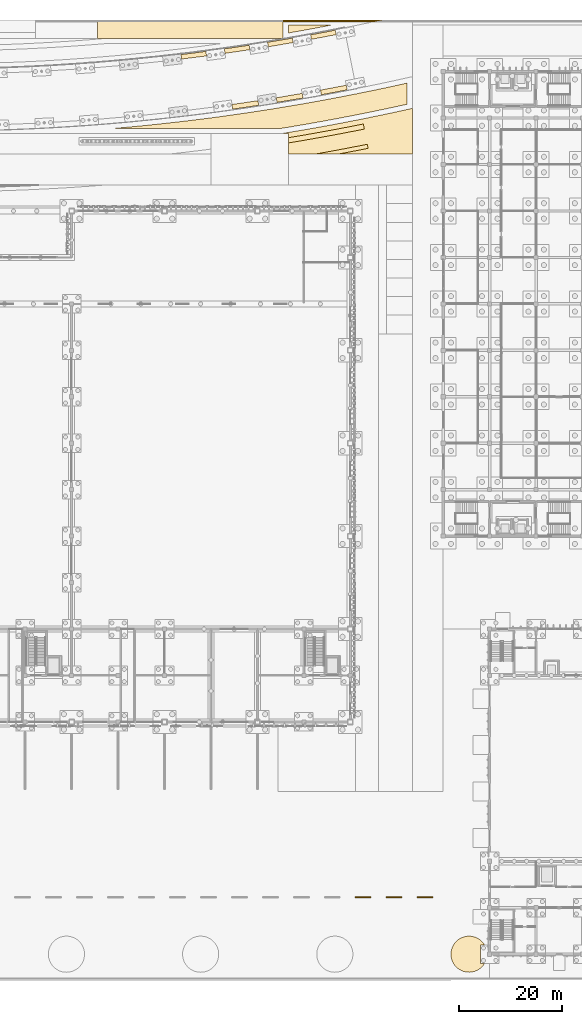
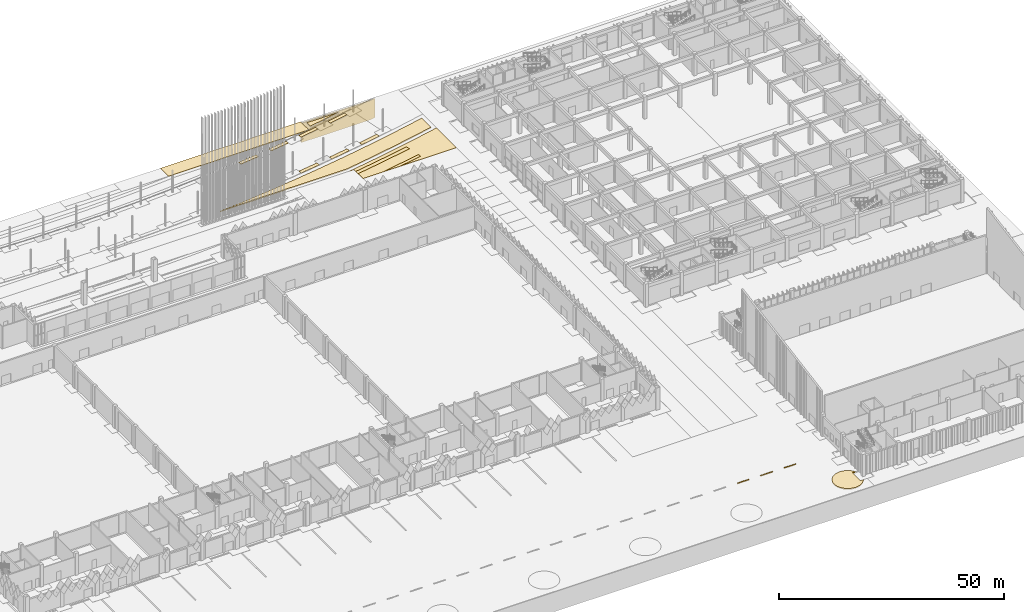
# One storey, part 176 of 198: 18 coverings.
"""IFC4 building model written with IfcOpenShell, lengths in metres."""

from ifc_helpers import new_model, si_unit, direction, frame, origin, place, context, subcontext, project, spatial, polyline, outline, extrude, material, layer, layer_set, type_object, element, save


model = new_model("IFC4")

# Units and contexts
model_context = context("Model", 3, precision=1e-05, world=origin(), true_north=direction((0.0, 1.0)))
body_context = subcontext(model_context, "Body", "Model", "MODEL_VIEW")
ifc_project = project(units=[si_unit("LENGTHUNIT", "METRE"), si_unit("AREAUNIT", "SQUARE_METRE"), si_unit("VOLUMEUNIT", "CUBIC_METRE"), si_unit("PLANEANGLEUNIT", "RADIAN"), si_unit("MASSUNIT", "GRAM", prefix="KILO")], contexts=[model_context])

# Site, building, storey
site_placement = place(None, origin())
site = spatial("IfcSite", under=ifc_project, at=site_placement, CompositionType="ELEMENT")
building_placement = place(site_placement, origin())
building = spatial("IfcBuilding", under=site, at=building_placement, Name="Opaline Strait Convention Centre", CompositionType="ELEMENT")
storey_placement = place(building_placement, origin())
storey = spatial("IfcBuildingStorey", under=building, at=storey_placement, Name="L00", CompositionType="ELEMENT", Elevation=0.0)

# Coverings
ifc_material_1 = material(Name="Asphalt road surfacing")
ifc_layer_1 = layer(ifc_material_1, 0.14990234375)
ifc_layer_set_1 = layer_set([ifc_layer_1], Name="Asphalt road surfacing")
covering_type_1 = type_object("IfcCoveringType", Name="Asphalt road surfacing 150", PredefinedType="FLOORING", material=ifc_layer_set_1)
covering_1_placement = place(storey_placement, frame((0.0, 0.0, -0.14990234375)))
element("IfcCovering", 1, at=covering_1_placement, inside=storey, type_object=covering_type_1, Name="Taxi Rank surfacing", PredefinedType="FLOORING", context=body_context, shape_type="SweptSolid", body=[
    extrude(outline(polyline([(212.0, 190.0), (212.0, 186.39990234375), (248.0, 186.39990234375), (248.0, 190.0), (212.0, 190.0)])), origin(), (0.0, 0.0, 1.0), 0.14990234375),
])
ifc_material_2 = material(Name="Granite paving slabs on mortar bed", Category="masonry")
ifc_layer_2 = layer(ifc_material_2, 0.14990234375)
ifc_layer_set_2 = layer_set([ifc_layer_2], Name="Granite paving slabs on mortar bed")
covering_type_2 = type_object("IfcCoveringType", Name="Granite paving 150", PredefinedType="FLOORING", material=ifc_layer_set_2)
covering_2_placement = place(storey_placement, frame((0.0, 0.0, -0.14990234375)))
element("IfcCovering", 2, at=covering_2_placement, inside=storey, type_object=covering_type_2, Name="Forecourt surfacing", PredefinedType="FLOORING", context=body_context, shape_type="SweptSolid", body=[
    extrude(outline(polyline([(243.243408203125, 173.46826171875), (243.1005859375, 174.370849609375), (238.080078125, 173.62890625), (238.204345703125, 172.723876953125), (239.557373046875, 172.91650390625), (239.5859375, 172.920654296875), (241.61083984375, 173.219482421875), (241.639404296875, 173.2236328125), (243.243408203125, 173.46826171875)])), origin(), (0.0, 0.0, 1.0), 0.14990234375),
])
covering_3_placement = place(storey_placement, frame((0.0, 0.0, -0.14990234375)))
element("IfcCovering", 3, at=covering_3_placement, inside=storey, type_object=covering_type_2, Name="Forecourt surfacing", PredefinedType="FLOORING", context=body_context, shape_type="SweptSolid", body=[
    extrude(outline(polyline([(251.830810546875, 174.87939453125), (251.66943359375, 175.779296875), (246.666259765625, 174.93505859375), (246.808837890625, 174.033203125), (247.771240234375, 174.189453125), (247.7998046875, 174.194091796875), (249.82470703125, 174.533203125), (249.852783203125, 174.5380859375), (251.830810546875, 174.87939453125)])), origin(), (0.0, 0.0, 1.0), 0.14990234375),
])
covering_4_placement = place(storey_placement, frame((0.0, 0.0, -0.14990234375)))
element("IfcCovering", 4, at=covering_4_placement, inside=storey, type_object=covering_type_2, Name="Forecourt surfacing", PredefinedType="FLOORING", context=body_context, shape_type="SweptSolid", body=[
    extrude(outline(polyline([(260.386474609375, 176.46484375), (260.20703125, 177.36083984375), (255.222900390625, 176.416015625), (255.384033203125, 175.516845703125), (255.984375, 175.62646484375), (256.01220703125, 175.631591796875), (258.037353515625, 176.01123046875), (258.065185546875, 176.0166015625), (260.09033203125, 176.406494140625), (260.1181640625, 176.411865234375), (260.386474609375, 176.46484375)])), origin(), (0.0, 0.0, 1.0), 0.14990234375),
])
covering_5_placement = place(storey_placement, frame((0.0, 0.0, -0.14990234375)))
element("IfcCovering", 5, at=covering_5_placement, inside=storey, type_object=covering_type_2, Name="Forecourt surfacing", PredefinedType="FLOORING", context=body_context, shape_type="SweptSolid", body=[
    extrude(outline(polyline([(228.21044921875, 183.3125), (228.312744140625, 182.432373046875), (233.143310546875, 183.044921875), (233.022705078125, 183.923095703125), (233.065673828125, 183.928955078125), (231.889404296875, 183.77294921875), (229.893310546875, 183.5185546875), (228.21044921875, 183.3125)])), origin(), (0.0, 0.0, 1.0), 0.14990234375),
])
covering_6_placement = place(storey_placement, frame((0.0, 0.0, -0.14990234375)))
element("IfcCovering", 6, at=covering_6_placement, inside=storey, type_object=covering_type_2, Name="Forecourt surfacing", PredefinedType="FLOORING", context=body_context, shape_type="SweptSolid", body=[
    extrude(outline(polyline([(236.59912109375, 184.4140625), (236.719482421875, 183.535888671875), (241.537109375, 184.247802734375), (241.3984375, 185.123291015625), (239.874755859375, 184.89111328125), (237.87841796875, 184.596435546875), (236.56591796875, 184.409423828125), (236.59912109375, 184.4140625)])), origin(), (0.0, 0.0, 1.0), 0.14990234375),
])
covering_7_placement = place(storey_placement, frame((0.0, 0.0, -0.14990234375)))
element("IfcCovering", 7, at=covering_7_placement, inside=storey, type_object=covering_type_2, Name="Forecourt surfacing", PredefinedType="FLOORING", context=body_context, shape_type="SweptSolid", body=[
    extrude(outline(polyline([(244.964111328125, 185.687744140625), (245.102783203125, 184.81201171875), (249.90576171875, 185.62255859375), (249.74951171875, 186.494384765625), (247.861083984375, 186.168701171875), (245.864501953125, 185.83447265625), (244.906005859375, 185.6787109375), (244.964111328125, 185.687744140625)])), origin(), (0.0, 0.0, 1.0), 0.14990234375),
])
covering_8_placement = place(storey_placement, frame((0.0, 0.0, -0.14990234375)))
element("IfcCovering", 8, at=covering_8_placement, inside=storey, type_object=covering_type_2, Name="Forecourt surfacing", PredefinedType="FLOORING", context=body_context, shape_type="SweptSolid", body=[
    extrude(outline(polyline([(253.302734375, 187.1318359375), (253.458984375, 186.259033203125), (258.245849609375, 187.166748046875), (258.072021484375, 188.03564453125), (257.845703125, 187.990966796875), (255.8486328125, 187.606689453125), (253.851806640625, 187.232177734375), (253.302734375, 187.1318359375)])), origin(), (0.0, 0.0, 1.0), 0.14990234375),
])
covering_9_placement = place(storey_placement, frame((0.0, 0.0, -0.14990234375)))
element("IfcCovering", 9, at=covering_9_placement, inside=storey, type_object=covering_type_2, Name="Forecourt Terrace 2 surfacing", PredefinedType="FLOORING", context=body_context, shape_type="SweptSolid", body=[
    extrude(outline(polyline([(249.1376953125, 166.205322265625), (249.070556640625, 166.1943359375), (249.0, 166.182861328125), (249.0, 164.0), (254.053466796875, 164.0), (255.87109375, 164.322509765625), (255.9521484375, 164.337158203125), (257.97705078125, 164.706787109375), (258.057861328125, 164.7216796875), (260.0830078125, 165.101318359375), (260.16357421875, 165.11669921875), (262.1884765625, 165.506591796875), (262.268798828125, 165.522216796875), (264.2939453125, 165.922119140625), (264.448974609375, 165.13720703125), (262.423828125, 164.7373046875), (262.339599609375, 164.720947265625), (260.314697265625, 164.331298828125), (260.230224609375, 164.315185546875), (258.5498046875, 164.0), (273.0, 164.0), (273.0, 172.875244140625), (271.603271484375, 172.564697265625), (271.548095703125, 172.552490234375), (269.548095703125, 172.1181640625), (269.49267578125, 172.106201171875), (267.49267578125, 171.681396484375), (267.43701171875, 171.669921875), (265.43701171875, 171.2548828125), (265.38134765625, 171.24365234375), (263.38134765625, 170.838623046875), (263.325439453125, 170.827392578125), (263.3251953125, 170.827392578125), (261.325439453125, 170.432373046875), (261.269287109375, 170.42138671875), (259.269287109375, 170.036376953125), (259.213134765625, 170.025634765625), (257.213134765625, 169.650390625), (257.156982421875, 169.639892578125), (255.156982421875, 169.2744140625), (255.100341796875, 169.264404296875), (253.100341796875, 168.90869140625), (253.043701171875, 168.898681640625), (251.043701171875, 168.552978515625), (250.987060546875, 168.54345703125), (248.987060546875, 168.20751953125), (248.93017578125, 168.1982421875), (247.7138671875, 168.0), (249.0, 168.0), (249.0, 167.1962890625), (250.99755859375, 167.531005859375), (251.059814453125, 167.54150390625), (253.0849609375, 167.890869140625), (253.14697265625, 167.901611328125), (255.172119140625, 168.260986328125), (255.23388671875, 168.272216796875), (257.259033203125, 168.641845703125), (257.32080078125, 168.6533203125), (259.345703125, 169.032958984375), (259.407470703125, 169.044677734375), (261.432373046875, 169.434326171875), (261.493896484375, 169.4462890625), (263.518798828125, 169.846435546875), (263.712646484375, 168.865234375), (261.6875, 168.46533203125), (261.621337890625, 168.452392578125), (259.596435546875, 168.062744140625), (259.530029296875, 168.050048828125), (257.5048828125, 167.67041015625), (257.4384765625, 167.657958984375), (255.41357421875, 167.28857421875), (255.3466796875, 167.276611328125), (253.32177734375, 166.9169921875), (253.2548828125, 166.9052734375), (251.22998046875, 166.555908203125), (251.162841796875, 166.544677734375), (249.1376953125, 166.205322265625)])), origin(), (0.0, 0.0, 1.0), 0.14990234375),
])
ifc_material_3 = material(Name="Limestone paving slabs on mortar bed", Category="masonry")
ifc_layer_3 = layer(ifc_material_3, 0.14990234375)
ifc_layer_set_3 = layer_set([ifc_layer_3], Name="Limestone paving slabs on mortar bed")
covering_type_3 = type_object("IfcCoveringType", Name="Limestone court paving 150", PredefinedType="FLOORING", material=ifc_layer_set_3)
covering_10_placement = place(storey_placement, frame((0.0, 0.0, -0.14990234375)))
element("IfcCovering", 10, at=covering_10_placement, inside=storey, type_object=covering_type_3, Name="Forecourt paving band 1 surfacing", PredefinedType="FLOORING", context=body_context, shape_type="SweptSolid", body=[
    extrude(outline(polyline([(259.530029296875, 168.050048828125), (259.596435546875, 168.062744140625), (261.621337890625, 168.452392578125), (261.6875, 168.46533203125), (263.712646484375, 168.865234375), (263.518798828125, 169.846435546875), (261.493896484375, 169.4462890625), (261.432373046875, 169.434326171875), (259.407470703125, 169.044677734375), (259.345703125, 169.032958984375), (257.32080078125, 168.6533203125), (257.259033203125, 168.641845703125), (255.23388671875, 168.272216796875), (255.172119140625, 168.260986328125), (253.14697265625, 167.901611328125), (253.0849609375, 167.890869140625), (251.059814453125, 167.54150390625), (250.99755859375, 167.531005859375), (249.0, 167.1962890625), (249.0, 166.182861328125), (249.070556640625, 166.1943359375), (249.1376953125, 166.205322265625), (251.162841796875, 166.544677734375), (251.22998046875, 166.555908203125), (253.2548828125, 166.9052734375), (253.32177734375, 166.9169921875), (255.3466796875, 167.276611328125), (255.41357421875, 167.28857421875), (257.4384765625, 167.657958984375), (257.5048828125, 167.67041015625), (259.530029296875, 168.050048828125)])), origin(), (0.0, 0.0, 1.0), 0.14990234375),
])
ifc_material_4 = material(Name="Permeable concrete block paving C30", Category="concrete")
ifc_layer_4 = layer(ifc_material_4, 0.14990234375)
ifc_layer_set_4 = layer_set([ifc_layer_4], Name="Permeable concrete block paving C30")
covering_type_4 = type_object("IfcCoveringType", Name="Permeable block paving 150", PredefinedType="FLOORING", material=ifc_layer_set_4)
covering_11_placement = place(storey_placement, frame((0.0, 0.0, -0.14990234375)))
element("IfcCovering", 11, at=covering_11_placement, inside=storey, type_object=covering_type_4, Name="Forecourt paving band 2 surfacing", PredefinedType="FLOORING", context=body_context, shape_type="SweptSolid", body=[
    extrude(outline(polyline([(260.230224609375, 164.315185546875), (260.314697265625, 164.331298828125), (262.339599609375, 164.720947265625), (262.423828125, 164.7373046875), (264.448974609375, 165.13720703125), (264.2939453125, 165.922119140625), (262.268798828125, 165.522216796875), (262.1884765625, 165.506591796875), (260.16357421875, 165.11669921875), (260.0830078125, 165.101318359375), (258.057861328125, 164.7216796875), (257.97705078125, 164.706787109375), (255.9521484375, 164.337158203125), (255.87109375, 164.322509765625), (254.053466796875, 164.0), (258.5498046875, 164.0), (260.230224609375, 164.315185546875)])), origin(), (0.0, 0.0, 1.0), 0.14990234375),
])
ifc_material_5 = material(Name="Planting soil and shrub planting")
ifc_layer_5 = layer(ifc_material_5, 0.300048828125)
ifc_layer_set_5 = layer_set([ifc_layer_5], Name="Planting soil and shrub planting")
covering_type_5 = type_object("IfcCoveringType", Name="Planted border bed 300", PredefinedType="USERDEFINED", material=ifc_layer_set_5)
covering_12_placement = place(storey_placement, frame((0.0, 0.0, -0.300048828125)))
element("IfcCovering", 12, at=covering_12_placement, inside=storey, type_object=covering_type_5, Name="Strait Garden North bed surfacing", ObjectType="LANDSCAPE", PredefinedType="USERDEFINED", context=body_context, shape_type="SweptSolid", body=[
    extrude(outline(polyline([(255.692626953125, 188.696533203125), (257.26806640625, 189.0), (249.0, 189.0), (249.0, 187.481689453125), (249.791259765625, 187.618408203125), (251.75830078125, 187.968017578125), (253.725341796875, 188.327392578125), (255.692626953125, 188.696533203125)])), origin(), (0.0, 0.0, 1.0), 0.300048828125),
])
covering_13_placement = place(storey_placement, frame((0.0, 0.0, -0.300048828125)))
element("IfcCovering", 13, at=covering_13_placement, inside=storey, type_object=covering_type_5, Name="Strait Garden East bed surfacing", ObjectType="LANDSCAPE", PredefinedType="USERDEFINED", context=body_context, shape_type="SweptSolid", body=[
    extrude(outline(polyline([(215.6171875, 169.03955078125), (215.587890625, 169.037109375), (215.585693359375, 169.036865234375), (215.146240234375, 169.0), (247.6328125, 169.0), (248.76806640625, 169.18505859375), (248.822509765625, 169.194091796875), (250.8203125, 169.529296875), (250.87451171875, 169.538818359375), (252.872314453125, 169.884033203125), (252.926513671875, 169.8935546875), (254.92431640625, 170.24853515625), (254.978271484375, 170.25830078125), (256.97607421875, 170.623291015625), (257.030029296875, 170.63330078125), (259.027587890625, 171.00830078125), (259.08154296875, 171.0185546875), (261.0791015625, 171.4033203125), (261.1328125, 171.413818359375), (263.130615234375, 171.808349609375), (263.18408203125, 171.819091796875), (265.181640625, 172.223388671875), (265.235107421875, 172.234375), (267.23291015625, 172.648681640625), (267.285888671875, 172.659912109375), (269.28369140625, 173.083984375), (269.3369140625, 173.095458984375), (271.33447265625, 173.529541015625), (271.387451171875, 173.541259765625), (272.0, 173.67724609375), (272.0, 177.77490234375), (270.5185546875, 177.44580078125), (270.51611328125, 177.4453125), (270.488525390625, 177.439208984375), (270.486328125, 177.438720703125), (268.486328125, 177.004150390625), (268.48388671875, 177.003662109375), (268.456298828125, 176.99755859375), (268.4541015625, 176.9970703125), (266.4541015625, 176.572509765625), (266.45166015625, 176.572021484375), (266.423828125, 176.566162109375), (266.421630859375, 176.565673828125), (264.421630859375, 176.15087890625), (264.419189453125, 176.150390625), (264.391357421875, 176.14453125), (264.38916015625, 176.144287109375), (262.38916015625, 175.7392578125), (262.38671875, 175.73876953125), (262.35888671875, 175.733154296875), (262.3564453125, 175.732666015625), (260.3564453125, 175.337646484375), (260.354248046875, 175.337158203125), (260.326171875, 175.331787109375), (260.32373046875, 175.331298828125), (258.32373046875, 174.946044921875), (258.321533203125, 174.945556640625), (258.29345703125, 174.940185546875), (258.291015625, 174.939697265625), (256.291015625, 174.564453125), (256.288818359375, 174.564208984375), (256.260498046875, 174.558837890625), (256.25830078125, 174.558349609375), (254.25830078125, 174.193115234375), (254.255859375, 174.192626953125), (254.2275390625, 174.1875), (254.22509765625, 174.18701171875), (252.22509765625, 173.83154296875), (252.222900390625, 173.8310546875), (252.194580078125, 173.826171875), (252.192138671875, 173.82568359375), (250.192138671875, 173.47998046875), (250.189697265625, 173.4794921875), (250.16162109375, 173.474853515625), (250.1591796875, 173.474365234375), (248.1591796875, 173.138671875), (248.15673828125, 173.13818359375), (248.12841796875, 173.133544921875), (248.1259765625, 173.133056640625), (246.1259765625, 172.80712890625), (246.12353515625, 172.806884765625), (246.094970703125, 172.80224609375), (246.092529296875, 172.8017578125), (244.092529296875, 172.48583984375), (244.090087890625, 172.4853515625), (244.0615234375, 172.48095703125), (244.059326171875, 172.480712890625), (242.059326171875, 172.17431640625), (242.056884765625, 172.174072265625), (242.0283203125, 172.169921875), (242.02587890625, 172.16943359375), (240.02587890625, 171.873046875), (240.0234375, 171.872802734375), (239.99462890625, 171.86865234375), (239.9921875, 171.8681640625), (237.9921875, 171.581787109375), (237.989990234375, 171.58154296875), (237.961181640625, 171.577392578125), (237.958740234375, 171.5771484375), (235.958740234375, 171.300537109375), (235.956298828125, 171.30029296875), (235.927490234375, 171.29638671875), (235.925048828125, 171.2958984375), (233.925048828125, 171.029296875), (233.922607421875, 171.029052734375), (233.893798828125, 171.025146484375), (233.891357421875, 171.02490234375), (231.891357421875, 170.76806640625), (231.888916015625, 170.767822265625), (231.860107421875, 170.76416015625), (231.857666015625, 170.763916015625), (229.857666015625, 170.516845703125), (229.855224609375, 170.5166015625), (229.826416015625, 170.51318359375), (229.823974609375, 170.5126953125), (227.823974609375, 170.27587890625), (227.8212890625, 170.275390625), (227.79248046875, 170.272216796875), (227.7900390625, 170.27197265625), (225.7900390625, 170.044677734375), (225.78759765625, 170.04443359375), (225.758544921875, 170.041259765625), (225.756103515625, 170.041015625), (223.756103515625, 169.82373046875), (223.753662109375, 169.823486328125), (223.724609375, 169.8203125), (223.72216796875, 169.820068359375), (221.72216796875, 169.612548828125), (221.719482421875, 169.6123046875), (221.6904296875, 169.609375), (221.68798828125, 169.609130859375), (219.68798828125, 169.41162109375), (219.685546875, 169.411376953125), (219.656494140625, 169.40869140625), (219.65380859375, 169.408447265625), (217.65380859375, 169.220703125), (217.651611328125, 169.220458984375), (217.622314453125, 169.2177734375), (217.619873046875, 169.217529296875), (215.619873046875, 169.039794921875), (215.6171875, 169.03955078125)])), origin(), (0.0, 0.0, 1.0), 0.300048828125),
])
covering_14_placement = place(storey_placement, frame((0.0, 0.0, -0.300048828125)))
element("IfcCovering", 14, at=covering_14_placement, inside=storey, type_object=covering_type_5, Name="Yard planting island 8 surfacing", ObjectType="LANDSCAPE", PredefinedType="USERDEFINED", context=body_context, shape_type="SweptSolid", body=[
    extrude(outline(polyline([(286.776611328125, 6.869384765625), (286.91015625, 7.055419921875), (286.996826171875, 7.195068359375), (286.195068359375, 7.195068359375), (286.195068359375, 10.804931640625), (286.996826171875, 10.804931640625), (286.91015625, 10.944580078125), (286.776611328125, 11.130615234375), (286.63134765625, 11.3076171875), (286.474853515625, 11.474853515625), (286.3076171875, 11.63134765625), (286.130615234375, 11.776611328125), (285.944580078125, 11.91015625), (285.75, 12.031005859375), (285.548095703125, 12.13916015625), (285.33935546875, 12.233642578125), (285.125, 12.314208984375), (284.906005859375, 12.380615234375), (284.682861328125, 12.4326171875), (284.456787109375, 12.47021484375), (284.22900390625, 12.492431640625), (284.0, 12.5), (283.77099609375, 12.492431640625), (283.543212890625, 12.47021484375), (283.317138671875, 12.4326171875), (283.093994140625, 12.380615234375), (282.875, 12.314208984375), (282.66064453125, 12.233642578125), (282.451904296875, 12.13916015625), (282.25, 12.031005859375), (282.055419921875, 11.91015625), (281.869384765625, 11.776611328125), (281.6923828125, 11.63134765625), (281.525146484375, 11.474853515625), (281.36865234375, 11.3076171875), (281.223388671875, 11.130615234375), (281.08984375, 10.944580078125), (280.968994140625, 10.75), (280.86083984375, 10.548095703125), (280.766357421875, 10.33935546875), (280.685791015625, 10.125), (280.619384765625, 9.906005859375), (280.5673828125, 9.682861328125), (280.52978515625, 9.456787109375), (280.507568359375, 9.22900390625), (280.5, 9.0), (280.507568359375, 8.77099609375), (280.52978515625, 8.543212890625), (280.5673828125, 8.317138671875), (280.619384765625, 8.093994140625), (280.685791015625, 7.875), (280.766357421875, 7.66064453125), (280.86083984375, 7.451904296875), (280.968994140625, 7.25), (281.08984375, 7.055419921875), (281.223388671875, 6.869384765625), (281.36865234375, 6.6923828125), (281.525146484375, 6.525146484375), (281.6923828125, 6.36865234375), (281.869384765625, 6.223388671875), (282.055419921875, 6.08984375), (282.25, 5.968994140625), (282.451904296875, 5.86083984375), (282.66064453125, 5.766357421875), (282.875, 5.685791015625), (283.093994140625, 5.619384765625), (283.317138671875, 5.5673828125), (283.543212890625, 5.52978515625), (283.77099609375, 5.507568359375), (284.0, 5.5), (284.22900390625, 5.507568359375), (284.456787109375, 5.52978515625), (284.682861328125, 5.5673828125), (284.906005859375, 5.619384765625), (285.125, 5.685791015625), (285.33935546875, 5.766357421875), (285.548095703125, 5.86083984375), (285.75, 5.968994140625), (285.944580078125, 6.08984375), (286.130615234375, 6.223388671875), (286.3076171875, 6.36865234375), (286.474853515625, 6.525146484375), (286.63134765625, 6.6923828125), (286.776611328125, 6.869384765625)])), origin(), (0.0, 0.0, 1.0), 0.300048828125),
])
ifc_material_6 = material(Name="Stabilised soil platform edge 300")
ifc_layer_6 = layer(ifc_material_6, 0.300048828125)
ifc_layer_set_6 = layer_set([ifc_layer_6], Name="Stabilised soil platform edge 300")
covering_type_6 = type_object("IfcCoveringType", Name="Platform edge facing 300", PredefinedType="CLADDING", material=ifc_layer_set_6)
covering_15_placement = place(storey_placement, frame((0.0, 0.0, -5.5)))
element("IfcCovering", 15, at=covering_15_placement, inside=storey, type_object=covering_type_6, Name="Platform edge facing", PredefinedType="CLADDING", context=body_context, shape_type="SweptSolid", body=[
    extrude(outline(polyline([(267.071533203125, 190.0), (248.0, 190.0), (248.0, 189.699951171875), (265.68994140625, 189.699951171875), (265.739990234375, 189.710693359375), (267.071533203125, 190.0)])), origin(), (0.0, 0.0, 1.0), 5.199951171875),
])
ifc_material_7 = material(Name="Road marking paint on concrete", Category="concrete")
ifc_layer_7 = layer(ifc_material_7, 0.14990234375)
ifc_layer_set_7 = layer_set([ifc_layer_7], Name="Road marking paint on concrete")
covering_type_7 = type_object("IfcCoveringType", Name="Yard marking strip 150", PredefinedType="FLOORING", material=ifc_layer_set_7)
covering_16_placement = place(storey_placement, frame((0.0, 0.0, -0.14990234375)))
element("IfcCovering", 16, at=covering_16_placement, inside=storey, type_object=covering_type_7, Name="Yard centre line dash 28 surfacing", PredefinedType="FLOORING", context=body_context, shape_type="SweptSolid", body=[
    extrude(outline(polyline([(265.0, 20.10009765625), (262.0, 20.10009765625), (262.0, 19.89990234375), (265.0, 19.89990234375), (265.0, 20.10009765625)])), origin(), (0.0, 0.0, 1.0), 0.14990234375),
])
covering_17_placement = place(storey_placement, frame((0.0, 0.0, -0.14990234375)))
element("IfcCovering", 17, at=covering_17_placement, inside=storey, type_object=covering_type_7, Name="Yard centre line dash 29 surfacing", PredefinedType="FLOORING", context=body_context, shape_type="SweptSolid", body=[
    extrude(outline(polyline([(271.0, 20.10009765625), (268.0, 20.10009765625), (268.0, 19.89990234375), (271.0, 19.89990234375), (271.0, 20.10009765625)])), origin(), (0.0, 0.0, 1.0), 0.14990234375),
])
covering_18_placement = place(storey_placement, frame((0.0, 0.0, -0.14990234375)))
element("IfcCovering", 18, at=covering_18_placement, inside=storey, type_object=covering_type_7, Name="Yard centre line dash 30 surfacing", PredefinedType="FLOORING", context=body_context, shape_type="SweptSolid", body=[
    extrude(outline(polyline([(277.0, 20.10009765625), (274.0, 20.10009765625), (274.0, 19.89990234375), (277.0, 19.89990234375), (277.0, 20.10009765625)])), origin(), (0.0, 0.0, 1.0), 0.14990234375),
])

save(model, "model.ifc")
